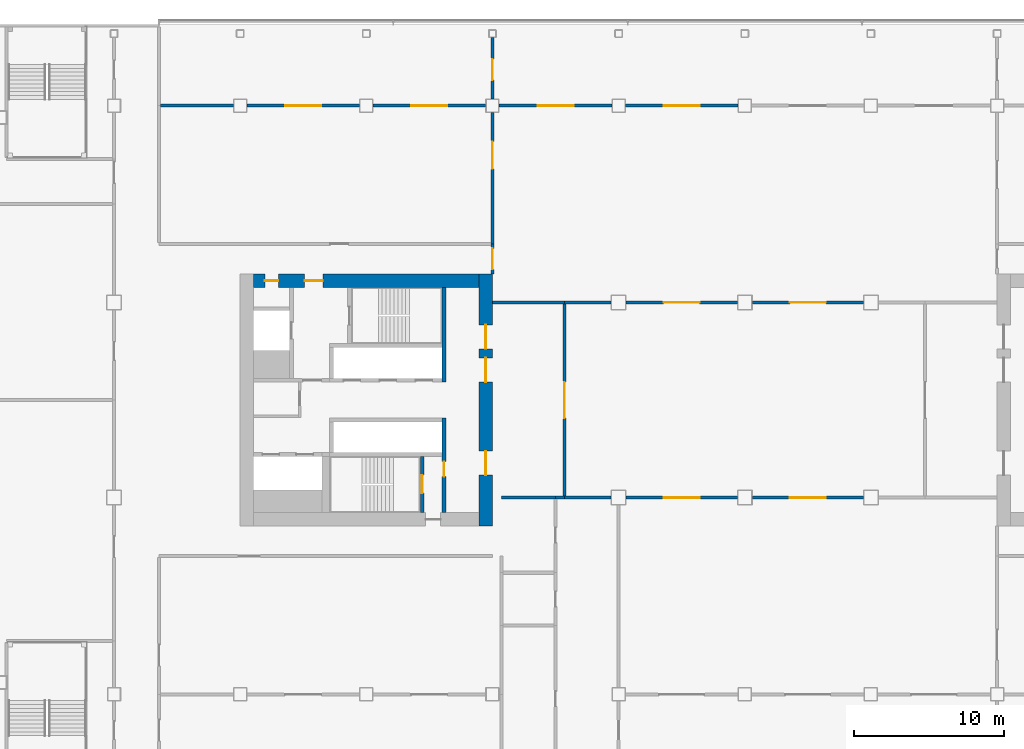
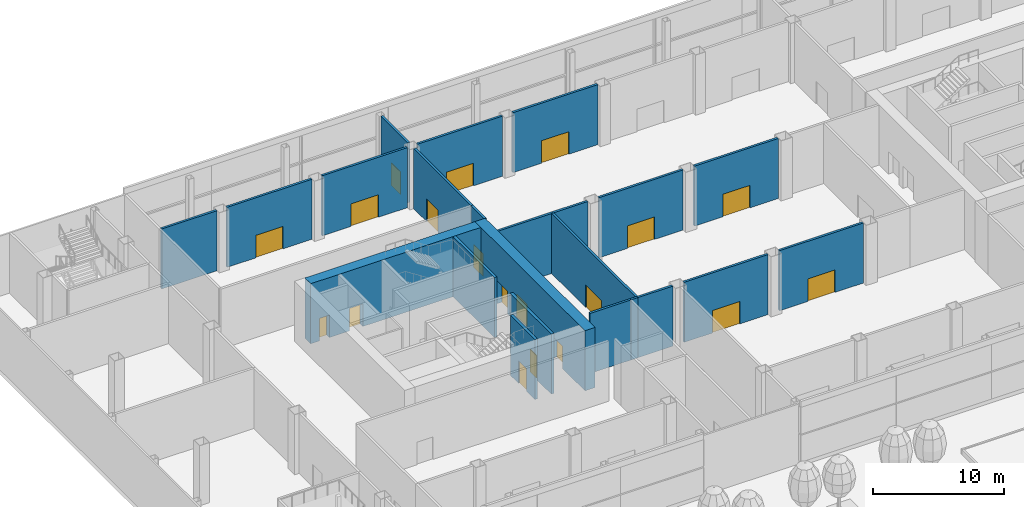
# One storey, part 34 of 100: 23 walls, 19 doors, 19 openings.
"""IFC4 building model written with IfcOpenShell, lengths in metres."""

from ifc_helpers import new_model, si_unit, direction, frame, frame_2d, origin, place, context, subcontext, project, spatial, rectangle, extrude, material, layer, layer_set, type_object, element, fill, save


model = new_model("IFC4")

# Units and contexts
model_context = context("Model", 3, precision=1e-05, world=origin(), true_north=direction((0.0, 1.0)))
body_context = subcontext(model_context, "Body", "Model", "MODEL_VIEW")
ifc_project = project(units=[si_unit("LENGTHUNIT", "METRE"), si_unit("AREAUNIT", "SQUARE_METRE"), si_unit("VOLUMEUNIT", "CUBIC_METRE"), si_unit("PLANEANGLEUNIT", "RADIAN"), si_unit("MASSUNIT", "GRAM", prefix="KILO")], contexts=[model_context])

# Site, building, storey
site_placement = place(None, origin())
site = spatial("IfcSite", under=ifc_project, at=site_placement, CompositionType="ELEMENT")
building_placement = place(site_placement, origin())
building = spatial("IfcBuilding", under=site, at=building_placement, Name="Hakoniwa Tower and Hamabe Station Hall", CompositionType="ELEMENT")
storey_placement = place(building_placement, frame((0.0, 0.0, 9.0)))
storey = spatial("IfcBuildingStorey", under=building, at=storey_placement, Name="L02", CompositionType="ELEMENT", Elevation=9.0)

# Wall, openings, doors
ifc_material_1 = material(Name="Concrete C80", Category="concrete")
ifc_layer_1 = layer(ifc_material_1, 0.89990234375)
ifc_layer_set_1 = layer_set([ifc_layer_1], Name="CORE WALL 900 C80")
wall_type_1 = type_object("IfcWallType", Name="CORE WALL 900 C80", PredefinedType="SHEAR", material=ifc_layer_set_1)
wall_1_placement = place(storey_placement, frame((-17.25, -8.39990234375, 0.0), z_axis=(0.0, 0.0, 1.0), x_axis=(0.0, 1.0, 0.0)))
wall_1 = element("IfcWall", 1, at=wall_1_placement, inside=storey, type_object=wall_type_1, Name="Core wall INNER west", PredefinedType="SHEAR", context=body_context, shape_type="SweptSolid", body=[
    extrude(rectangle(XDim=16.7998046875, YDim=0.89990234375, at=frame_2d((8.39990234375, 0.0))), origin(), (0.0, 0.0, 1.0), 5.60009765625),
])
opening_1_placement = place(wall_1_placement, frame((3.39990234375, 0.0, 0.0)))
opening_1 = element("IfcOpeningElement", 2, at=opening_1_placement, cuts=wall_1, Name="Opening CD-W-IN1-16", PredefinedType="OPENING", context=body_context, shape_type="SweptSolid", body=[
    extrude(rectangle(XDim=1.60009765625, YDim=2.10009765625, at=frame_2d((0.800048828125, 1.050048828125))), frame((0.0, 0.4599609375, 0.0), z_axis=(0.0, -1.0, 0.0), x_axis=(1.0, 0.0, 0.0)), (0.0, 0.0, 1.0), 0.919921875),
])
opening_2_placement = place(wall_1_placement, frame((9.60009765625, 0.0, 0.0)))
opening_2 = element("IfcOpeningElement", 3, at=opening_2_placement, cuts=wall_1, Name="Opening CD-W-IN2-16", PredefinedType="OPENING", context=body_context, shape_type="SweptSolid", body=[
    extrude(rectangle(XDim=1.60009765625, YDim=2.10009765625, at=frame_2d((0.800048828125, 1.050048828125))), frame((0.0, 0.4599609375, 0.0), z_axis=(0.0, -1.0, 0.0), x_axis=(1.0, 0.0, 0.0)), (0.0, 0.0, 1.0), 0.919921875),
])
opening_3_placement = place(wall_1_placement, frame((11.800048828125, 0.0, 0.0)))
opening_3 = element("IfcOpeningElement", 4, at=opening_3_placement, cuts=wall_1, Name="Opening CD-W-IN3-16", PredefinedType="OPENING", context=body_context, shape_type="SweptSolid", body=[
    extrude(rectangle(XDim=1.60009765625, YDim=2.10009765625, at=frame_2d((0.800048828125, 1.050048828125))), frame((0.0, 0.4599609375, 0.0), z_axis=(0.0, -1.0, 0.0), x_axis=(1.0, 0.0, 0.0)), (0.0, 0.0, 1.0), 0.919921875),
])
ifc_material_2 = material(Name="Steel fire door", Category="steel")
door_type_1 = type_object("IfcDoorType", Name="CORE DOOR 1600 FD60", OperationType="DOUBLE_DOOR_SINGLE_SWING", PredefinedType="DOOR", material=ifc_material_2)
door_1_placement = place(opening_1_placement, origin())
door_1 = element("IfcDoor", 5, at=door_1_placement, inside=storey, type_object=door_type_1, Name="Lift lobby door", OperationType="DOUBLE_DOOR_SINGLE_SWING", OverallHeight=2.10009765625, OverallWidth=1.60009765625, PredefinedType="DOOR", context=body_context, shape_type="SweptSolid", body=[
    extrude(rectangle(XDim=1.60009765625, YDim=2.10009765625, at=frame_2d((0.800048828125, 1.050048828125))), frame((0.0, 0.02490234375, 0.0), z_axis=(0.0, -1.0, 0.0), x_axis=(1.0, 0.0, 0.0)), (0.0, 0.0, 1.0), 0.050048828125),
])
fill(opening_1, door_1)
door_2_placement = place(opening_2_placement, origin())
door_2 = element("IfcDoor", 6, at=door_2_placement, inside=storey, type_object=door_type_1, Name="Lift lobby door", OperationType="DOUBLE_DOOR_SINGLE_SWING", OverallHeight=2.10009765625, OverallWidth=1.60009765625, PredefinedType="DOOR", context=body_context, shape_type="SweptSolid", body=[
    extrude(rectangle(XDim=1.60009765625, YDim=2.10009765625, at=frame_2d((0.800048828125, 1.050048828125))), frame((0.0, 0.02490234375, 0.0), z_axis=(0.0, -1.0, 0.0), x_axis=(1.0, 0.0, 0.0)), (0.0, 0.0, 1.0), 0.050048828125),
])
fill(opening_2, door_2)
door_3_placement = place(opening_3_placement, origin())
door_3 = element("IfcDoor", 7, at=door_3_placement, inside=storey, type_object=door_type_1, Name="Lift lobby door", OperationType="DOUBLE_DOOR_SINGLE_SWING", OverallHeight=2.10009765625, OverallWidth=1.60009765625, PredefinedType="DOOR", context=body_context, shape_type="SweptSolid", body=[
    extrude(rectangle(XDim=1.60009765625, YDim=2.10009765625, at=frame_2d((0.800048828125, 1.050048828125))), frame((0.0, 0.02490234375, 0.0), z_axis=(0.0, -1.0, 0.0), x_axis=(1.0, 0.0, 0.0)), (0.0, 0.0, 1.0), 0.050048828125),
])
fill(opening_3, door_3)

wall_2_placement = place(storey_placement, frame((-32.699951171875, 7.949951171875, 0.0), z_axis=(0.0, 0.0, 1.0), x_axis=(1.0, 0.0, 0.0)))
wall_2 = element("IfcWall", 8, at=wall_2_placement, inside=storey, type_object=wall_type_1, Name="Core wall NORTH west", PredefinedType="SHEAR", context=body_context, shape_type="SweptSolid", body=[
    extrude(rectangle(XDim=15.0, YDim=0.89990234375, at=frame_2d((7.5, 0.0))), origin(), (0.0, 0.0, 1.0), 5.60009765625),
])
opening_4_placement = place(wall_2_placement, frame((3.39990234375, 0.0, 0.0)))
opening_4 = element("IfcOpeningElement", 9, at=opening_4_placement, cuts=wall_2, Name="Opening CD-W-FN1-12", PredefinedType="OPENING", context=body_context, shape_type="SweptSolid", body=[
    extrude(rectangle(XDim=1.199951171875, YDim=2.10009765625, at=frame_2d((0.60009765625, 1.050048828125))), frame((0.0, 0.4599609375, 0.0), z_axis=(0.0, -1.0, 0.0), x_axis=(1.0, 0.0, 0.0)), (0.0, 0.0, 1.0), 0.919921875),
])
opening_5_placement = place(wall_2_placement, frame((0.75, 0.0, 0.0)))
opening_5 = element("IfcOpeningElement", 10, at=opening_5_placement, cuts=wall_2, Name="Opening CD-W-FN2-9", PredefinedType="OPENING", context=body_context, shape_type="SweptSolid", body=[
    extrude(rectangle(XDim=0.89990234375, YDim=2.10009765625, at=frame_2d((0.449951171875, 1.050048828125))), frame((0.0, 0.4599609375, 0.0), z_axis=(0.0, -1.0, 0.0), x_axis=(1.0, 0.0, 0.0)), (0.0, 0.0, 1.0), 0.919921875),
])
ifc_material_3 = material(Name="Steel fire door", Category="steel")
door_type_2 = type_object("IfcDoorType", Name="CORE DOOR 1200 FD60", OperationType="DOUBLE_DOOR_SINGLE_SWING", PredefinedType="DOOR", material=ifc_material_3)
door_4_placement = place(opening_4_placement, origin())
door_4 = element("IfcDoor", 11, at=door_4_placement, inside=storey, type_object=door_type_2, Name="Stair vestibule door to the fire-fighting lobby", OperationType="DOUBLE_DOOR_SINGLE_SWING", OverallHeight=2.10009765625, OverallWidth=1.199951171875, PredefinedType="DOOR", context=body_context, shape_type="SweptSolid", body=[
    extrude(rectangle(XDim=1.199951171875, YDim=2.10009765625, at=frame_2d((0.60009765625, 1.050048828125))), frame((0.0, 0.02490234375, 0.0), z_axis=(0.0, -1.0, 0.0), x_axis=(1.0, 0.0, 0.0)), (0.0, 0.0, 1.0), 0.050048828125),
])
fill(opening_4, door_4)
ifc_material_4 = material(Name="Steel fire door", Category="steel")
door_type_3 = type_object("IfcDoorType", Name="CORE DOOR 900 FD30", OperationType="NOTDEFINED", PredefinedType="DOOR", material=ifc_material_4)
door_5_placement = place(opening_5_placement, origin())
door_5 = element("IfcDoor", 12, at=door_5_placement, inside=storey, type_object=door_type_3, Name="Riser access door", OperationType="SINGLE_SWING_RIGHT", OverallHeight=2.10009765625, OverallWidth=0.89990234375, PredefinedType="DOOR", context=body_context, shape_type="SweptSolid", body=[
    extrude(rectangle(XDim=0.89990234375, YDim=2.10009765625, at=frame_2d((0.449951171875, 1.050048828125))), frame((0.0, 0.02490234375, 0.0), z_axis=(0.0, -1.0, 0.0), x_axis=(1.0, 0.0, 0.0)), (0.0, 0.0, 1.0), 0.050048828125),
])
fill(opening_5, door_5)

# Wall
ifc_material_5 = material(Name="Concrete C80", Category="concrete")
ifc_layer_2 = layer(ifc_material_5, 0.25)
ifc_layer_set_2 = layer_set([ifc_layer_2], Name="CORE WEB WALL 250 C80")
wall_type_2 = type_object("IfcWallType", Name="CORE WEB WALL 250 C80", PredefinedType="SHEAR", material=ifc_layer_set_2)
wall_3_placement = place(storey_placement, frame((-20.02490234375, 1.199951171875, 0.0), z_axis=(0.0, 0.0, 1.0), x_axis=(0.0, 1.0, 0.0)))
element("IfcWall", 13, at=wall_3_placement, inside=storey, type_object=wall_type_2, Name="Core wall W1N west", PredefinedType="SHEAR", context=body_context, shape_type="SweptSolid", body=[
    extrude(rectangle(XDim=6.300048828125, YDim=0.25, at=frame_2d((3.14990234375, 0.0))), origin(), (0.0, 0.0, 1.0), 5.60009765625),
])

# Wall, opening, door
wall_4_placement = place(storey_placement, frame((-20.02490234375, -7.5, 0.0), z_axis=(0.0, 0.0, 1.0), x_axis=(0.0, 1.0, 0.0)))
wall_4 = element("IfcWall", 14, at=wall_4_placement, inside=storey, type_object=wall_type_2, Name="Core wall W1S west", PredefinedType="SHEAR", context=body_context, shape_type="SweptSolid", body=[
    extrude(rectangle(XDim=6.300048828125, YDim=0.25, at=frame_2d((3.14990234375, 0.0))), origin(), (0.0, 0.0, 1.0), 5.60009765625),
])
opening_6_placement = place(wall_4_placement, frame((2.39990234375, 0.0, 0.0)))
opening_6 = element("IfcOpeningElement", 15, at=opening_6_placement, cuts=wall_4, Name="Opening CD-W-VS-10", PredefinedType="OPENING", context=body_context, shape_type="SweptSolid", body=[
    extrude(rectangle(XDim=1.0, YDim=2.10009765625, at=frame_2d((0.5, 1.050048828125))), frame((0.0, 0.135009765625, 0.0), z_axis=(0.0, -1.0, 0.0), x_axis=(1.0, 0.0, 0.0)), (0.0, 0.0, 1.0), 0.27001953125),
])
ifc_material_6 = material(Name="Steel fire door", Category="steel")
door_type_4 = type_object("IfcDoorType", Name="CORE DOOR 1000 FD60", OperationType="NOTDEFINED", PredefinedType="DOOR", material=ifc_material_6)
door_6_placement = place(opening_6_placement, origin())
door_6 = element("IfcDoor", 16, at=door_6_placement, inside=storey, type_object=door_type_4, Name="Stair vestibule door", OperationType="SINGLE_SWING_LEFT", OverallHeight=2.10009765625, OverallWidth=1.0, PredefinedType="DOOR", context=body_context, shape_type="SweptSolid", body=[
    extrude(rectangle(XDim=1.0, YDim=2.10009765625, at=frame_2d((0.5, 1.050048828125))), frame((0.0, 0.02490234375, 0.0), z_axis=(0.0, -1.0, 0.0), x_axis=(1.0, 0.0, 0.0)), (0.0, 0.0, 1.0), 0.050048828125),
])
fill(opening_6, door_6)

wall_5_placement = place(storey_placement, frame((-21.47509765625, -7.5, 0.0), z_axis=(0.0, 0.0, 1.0), x_axis=(0.0, 1.0, 0.0)))
wall_5 = element("IfcWall", 17, at=wall_5_placement, inside=storey, type_object=wall_type_2, Name="Core wall VE west", PredefinedType="SHEAR", context=body_context, shape_type="SweptSolid", body=[
    extrude(rectangle(XDim=3.75, YDim=0.25, at=frame_2d((1.875, 0.0))), origin(), (0.0, 0.0, 1.0), 5.60009765625),
])
opening_7_placement = place(wall_5_placement, frame((1.300048828125, 0.0, 0.0)))
opening_7 = element("IfcOpeningElement", 18, at=opening_7_placement, cuts=wall_5, Name="Opening CD-W-SS-12", PredefinedType="OPENING", context=body_context, shape_type="SweptSolid", body=[
    extrude(rectangle(XDim=1.199951171875, YDim=2.10009765625, at=frame_2d((0.60009765625, 1.050048828125))), frame((0.0, 0.135009765625, 0.0), z_axis=(0.0, -1.0, 0.0), x_axis=(1.0, 0.0, 0.0)), (0.0, 0.0, 1.0), 0.27001953125),
])
door_7_placement = place(opening_7_placement, origin())
door_7 = element("IfcDoor", 19, at=door_7_placement, inside=storey, type_object=door_type_2, Name="Escape stair door", OperationType="DOUBLE_DOOR_SINGLE_SWING", OverallHeight=2.10009765625, OverallWidth=1.199951171875, PredefinedType="DOOR", context=body_context, shape_type="SweptSolid", body=[
    extrude(rectangle(XDim=1.199951171875, YDim=2.10009765625, at=frame_2d((0.60009765625, 1.050048828125))), frame((0.0, 0.02490234375, 0.0), z_axis=(0.0, -1.0, 0.0), x_axis=(1.0, 0.0, 0.0)), (0.0, 0.0, 1.0), 0.050048828125),
])
fill(opening_7, door_7)

ifc_material_7 = material(Name="Fire-rated gypsum board partition")
ifc_layer_3 = layer(ifc_material_7, 0.199951171875)
ifc_layer_set_3 = layer_set([ifc_layer_3], Name="FIRE PARTITION 200 EI 60")
wall_type_3 = type_object("IfcWallType", Name="FIRE PARTITION 200 EI 60", PredefinedType="PARTITIONING", material=ifc_layer_set_3)
wall_6_placement = place(storey_placement, frame((-16.800048828125, 20.050048828125, 0.0), z_axis=(0.0, 0.0, 1.0), x_axis=(0.0, 1.0, 0.0)))
wall_6 = element("IfcWall", 20, at=wall_6_placement, inside=storey, type_object=wall_type_3, Name="Wall Banquet Terrace Gallery / Executive Lounge Gallery", PredefinedType="PARTITIONING", context=body_context, shape_type="SweptSolid", body=[
    extrude(rectangle(XDim=4.099853515625, YDim=0.199951171875, at=frame_2d((2.0498046875, 0.0))), origin(), (0.0, 0.0, 1.0), 5.60009765625),
])
opening_8_placement = place(wall_6_placement, frame((1.25, 0.0, 0.0)))
opening_8 = element("IfcOpeningElement", 21, at=opening_8_placement, cuts=wall_6, Name="Opening PD-L02-030", PredefinedType="OPENING", context=body_context, shape_type="SweptSolid", body=[
    extrude(rectangle(XDim=1.39990234375, YDim=2.10009765625, at=frame_2d((0.699951171875, 1.050048828125))), frame((0.0, 0.10986328125, 0.0), z_axis=(0.0, -1.0, 0.0), x_axis=(1.0, 0.0, 0.0)), (0.0, 0.0, 1.0), 0.219970703125),
])
ifc_material_8 = material(Name="Timber door leaf", Category="wood")
door_type_5 = type_object("IfcDoorType", Name="SINGLE DOOR 1400X2100", OperationType="SINGLE_SWING_LEFT", PredefinedType="DOOR", material=ifc_material_8)
door_8_placement = place(opening_8_placement, origin())
door_8 = element("IfcDoor", 22, at=door_8_placement, inside=storey, type_object=door_type_5, Name="Door PD-L02-030", OperationType="SINGLE_SWING_LEFT", OverallHeight=2.10009765625, OverallWidth=1.39990234375, PredefinedType="DOOR", context=body_context, shape_type="SweptSolid", body=[
    extrude(rectangle(XDim=1.39990234375, YDim=2.10009765625, at=frame_2d((0.699951171875, 1.050048828125))), frame((0.0, 0.02490234375, 0.0), z_axis=(0.0, -1.0, 0.0), x_axis=(1.0, 0.0, 0.0)), (0.0, 0.0, 1.0), 0.050048828125),
])
fill(opening_8, door_8)

# Wall
wall_7_placement = place(storey_placement, frame((-38.89990234375, 19.60009765625, 0.0), z_axis=(0.0, 0.0, 1.0), x_axis=(1.0, 0.0, 0.0)))
element("IfcWall", 23, at=wall_7_placement, inside=storey, type_object=wall_type_3, Name="Wall Executive Lounge / Executive Lounge Gallery", PredefinedType="PARTITIONING", context=body_context, shape_type="SweptSolid", body=[
    extrude(rectangle(XDim=4.849853515625, YDim=0.199951171875, at=frame_2d((2.4248046875, 0.0))), origin(), (0.0, 0.0, 1.0), 5.60009765625),
])

# Wall, opening, door
wall_8_placement = place(storey_placement, frame((-33.14990234375, 19.60009765625, 0.0), z_axis=(0.0, 0.0, 1.0), x_axis=(1.0, 0.0, 0.0)))
wall_8 = element("IfcWall", 24, at=wall_8_placement, inside=storey, type_object=wall_type_3, Name="Wall Executive Lounge / Executive Lounge Gallery", PredefinedType="PARTITIONING", context=body_context, shape_type="SweptSolid", body=[
    extrude(rectangle(XDim=7.5, YDim=0.199951171875, at=frame_2d((3.75, 0.0))), origin(), (0.0, 0.0, 1.0), 5.60009765625),
])
opening_9_placement = place(wall_8_placement, frame((2.550048828125, 0.0, 0.0)))
opening_9 = element("IfcOpeningElement", 25, at=opening_9_placement, cuts=wall_8, Name="Opening PD-L02-026", PredefinedType="OPENING", context=body_context, shape_type="SweptSolid", body=[
    extrude(rectangle(XDim=2.39990234375, YDim=2.10009765625, at=frame_2d((1.199951171875, 1.050048828125))), frame((0.0, 0.10986328125, 0.0), z_axis=(0.0, -1.0, 0.0), x_axis=(1.0, 0.0, 0.0)), (0.0, 0.0, 1.0), 0.219970703125),
])
ifc_material_9 = material(Name="Glazed aluminium door", Category="aluminium")
door_type_6 = type_object("IfcDoorType", Name="DOUBLE GLAZED DOOR 2400X2100", OperationType="DOUBLE_DOOR_DOUBLE_SWING", PredefinedType="DOOR", material=ifc_material_9)
door_9_placement = place(opening_9_placement, origin())
door_9 = element("IfcDoor", 26, at=door_9_placement, inside=storey, type_object=door_type_6, Name="Door PD-L02-026", OperationType="DOUBLE_DOOR_DOUBLE_SWING", OverallHeight=2.10009765625, OverallWidth=2.39990234375, PredefinedType="DOOR", context=body_context, shape_type="SweptSolid", body=[
    extrude(rectangle(XDim=2.39990234375, YDim=2.10009765625, at=frame_2d((1.199951171875, 1.050048828125))), frame((0.0, 0.02490234375, 0.0), z_axis=(0.0, -1.0, 0.0), x_axis=(1.0, 0.0, 0.0)), (0.0, 0.0, 1.0), 0.050048828125),
])
fill(opening_9, door_9)

wall_9_placement = place(storey_placement, frame((-24.75, 19.60009765625, 0.0), z_axis=(0.0, 0.0, 1.0), x_axis=(1.0, 0.0, 0.0)))
wall_9 = element("IfcWall", 27, at=wall_9_placement, inside=storey, type_object=wall_type_3, Name="Wall Executive Lounge / Executive Lounge Gallery", PredefinedType="PARTITIONING", context=body_context, shape_type="SweptSolid", body=[
    extrude(rectangle(XDim=7.5, YDim=0.199951171875, at=frame_2d((3.75, 0.0))), origin(), (0.0, 0.0, 1.0), 5.60009765625),
])
opening_10_placement = place(wall_9_placement, frame((2.550048828125, 0.0, 0.0)))
opening_10 = element("IfcOpeningElement", 28, at=opening_10_placement, cuts=wall_9, Name="Opening PD-L02-027", PredefinedType="OPENING", context=body_context, shape_type="SweptSolid", body=[
    extrude(rectangle(XDim=2.39990234375, YDim=2.10009765625, at=frame_2d((1.199951171875, 1.050048828125))), frame((0.0, 0.10986328125, 0.0), z_axis=(0.0, -1.0, 0.0), x_axis=(1.0, 0.0, 0.0)), (0.0, 0.0, 1.0), 0.219970703125),
])
door_10_placement = place(opening_10_placement, origin())
door_10 = element("IfcDoor", 29, at=door_10_placement, inside=storey, type_object=door_type_6, Name="Door PD-L02-027", OperationType="DOUBLE_DOOR_DOUBLE_SWING", OverallHeight=2.10009765625, OverallWidth=2.39990234375, PredefinedType="DOOR", context=body_context, shape_type="SweptSolid", body=[
    extrude(rectangle(XDim=2.39990234375, YDim=2.10009765625, at=frame_2d((1.199951171875, 1.050048828125))), frame((0.0, 0.02490234375, 0.0), z_axis=(0.0, -1.0, 0.0), x_axis=(1.0, 0.0, 0.0)), (0.0, 0.0, 1.0), 0.050048828125),
])
fill(opening_10, door_10)

wall_10_placement = place(storey_placement, frame((-16.35009765625, 19.60009765625, 0.0), z_axis=(0.0, 0.0, 1.0), x_axis=(1.0, 0.0, 0.0)))
wall_10 = element("IfcWall", 30, at=wall_10_placement, inside=storey, type_object=wall_type_3, Name="Wall Banquet Pre-function Foyer / Banquet Terrace Gallery", PredefinedType="PARTITIONING", context=body_context, shape_type="SweptSolid", body=[
    extrude(rectangle(XDim=7.5, YDim=0.199951171875, at=frame_2d((3.75, 0.0))), origin(), (0.0, 0.0, 1.0), 5.60009765625),
])
opening_11_placement = place(wall_10_placement, frame((2.550048828125, 0.0, 0.0)))
opening_11 = element("IfcOpeningElement", 31, at=opening_11_placement, cuts=wall_10, Name="Opening PD-L02-022", PredefinedType="OPENING", context=body_context, shape_type="SweptSolid", body=[
    extrude(rectangle(XDim=2.39990234375, YDim=2.10009765625, at=frame_2d((1.199951171875, 1.050048828125))), frame((0.0, 0.10986328125, 0.0), z_axis=(0.0, -1.0, 0.0), x_axis=(1.0, 0.0, 0.0)), (0.0, 0.0, 1.0), 0.219970703125),
])
door_11_placement = place(opening_11_placement, origin())
door_11 = element("IfcDoor", 32, at=door_11_placement, inside=storey, type_object=door_type_6, Name="Door PD-L02-022", OperationType="DOUBLE_DOOR_DOUBLE_SWING", OverallHeight=2.10009765625, OverallWidth=2.39990234375, PredefinedType="DOOR", context=body_context, shape_type="SweptSolid", body=[
    extrude(rectangle(XDim=2.39990234375, YDim=2.10009765625, at=frame_2d((1.199951171875, 1.050048828125))), frame((0.0, 0.02490234375, 0.0), z_axis=(0.0, -1.0, 0.0), x_axis=(1.0, 0.0, 0.0)), (0.0, 0.0, 1.0), 0.050048828125),
])
fill(opening_11, door_11)

wall_11_placement = place(storey_placement, frame((-7.949951171875, 19.60009765625, 0.0), z_axis=(0.0, 0.0, 1.0), x_axis=(1.0, 0.0, 0.0)))
wall_11 = element("IfcWall", 33, at=wall_11_placement, inside=storey, type_object=wall_type_3, Name="Wall Banquet Pre-function Foyer / Banquet Terrace Gallery", PredefinedType="PARTITIONING", context=body_context, shape_type="SweptSolid", body=[
    extrude(rectangle(XDim=7.5, YDim=0.199951171875, at=frame_2d((3.75, 0.0))), origin(), (0.0, 0.0, 1.0), 5.60009765625),
])
opening_12_placement = place(wall_11_placement, frame((2.550048828125, 0.0, 0.0)))
opening_12 = element("IfcOpeningElement", 34, at=opening_12_placement, cuts=wall_11, Name="Opening PD-L02-023", PredefinedType="OPENING", context=body_context, shape_type="SweptSolid", body=[
    extrude(rectangle(XDim=2.39990234375, YDim=2.10009765625, at=frame_2d((1.199951171875, 1.050048828125))), frame((0.0, 0.10986328125, 0.0), z_axis=(0.0, -1.0, 0.0), x_axis=(1.0, 0.0, 0.0)), (0.0, 0.0, 1.0), 0.219970703125),
])
door_12_placement = place(opening_12_placement, origin())
door_12 = element("IfcDoor", 35, at=door_12_placement, inside=storey, type_object=door_type_6, Name="Door PD-L02-023", OperationType="DOUBLE_DOOR_DOUBLE_SWING", OverallHeight=2.10009765625, OverallWidth=2.39990234375, PredefinedType="DOOR", context=body_context, shape_type="SweptSolid", body=[
    extrude(rectangle(XDim=2.39990234375, YDim=2.10009765625, at=frame_2d((1.199951171875, 1.050048828125))), frame((0.0, 0.02490234375, 0.0), z_axis=(0.0, -1.0, 0.0), x_axis=(1.0, 0.0, 0.0)), (0.0, 0.0, 1.0), 0.050048828125),
])
fill(opening_12, door_12)

wall_12_placement = place(storey_placement, frame((-16.800048828125, 10.39990234375, 0.0), z_axis=(0.0, 0.0, 1.0), x_axis=(0.0, 1.0, 0.0)))
wall_12 = element("IfcWall", 36, at=wall_12_placement, inside=storey, type_object=wall_type_3, Name="Wall Banquet Pre-function Foyer / Executive Lounge", PredefinedType="PARTITIONING", context=body_context, shape_type="SweptSolid", body=[
    extrude(rectangle(XDim=8.75, YDim=0.199951171875, at=frame_2d((4.375, 0.0))), origin(), (0.0, 0.0, 1.0), 5.60009765625),
])
opening_13_placement = place(wall_12_placement, frame((5.0, 0.0, 0.0)))
opening_13 = element("IfcOpeningElement", 37, at=opening_13_placement, cuts=wall_12, Name="Opening PD-L02-042", PredefinedType="OPENING", context=body_context, shape_type="SweptSolid", body=[
    extrude(rectangle(XDim=1.800048828125, YDim=2.10009765625, at=frame_2d((0.89990234375, 1.050048828125))), frame((0.0, 0.10986328125, 0.0), z_axis=(0.0, -1.0, 0.0), x_axis=(1.0, 0.0, 0.0)), (0.0, 0.0, 1.0), 0.219970703125),
])
ifc_material_10 = material(Name="Glazed aluminium door", Category="aluminium")
door_type_7 = type_object("IfcDoorType", Name="DOUBLE GLAZED DOOR 1800X2100", OperationType="DOUBLE_DOOR_DOUBLE_SWING", PredefinedType="DOOR", material=ifc_material_10)
door_13_placement = place(opening_13_placement, origin())
door_13 = element("IfcDoor", 38, at=door_13_placement, inside=storey, type_object=door_type_7, Name="Door PD-L02-042", OperationType="DOUBLE_DOOR_DOUBLE_SWING", OverallHeight=2.10009765625, OverallWidth=1.800048828125, PredefinedType="DOOR", context=body_context, shape_type="SweptSolid", body=[
    extrude(rectangle(XDim=1.800048828125, YDim=2.10009765625, at=frame_2d((0.89990234375, 1.050048828125))), frame((0.0, 0.02490234375, 0.0), z_axis=(0.0, -1.0, 0.0), x_axis=(1.0, 0.0, 0.0)), (0.0, 0.0, 1.0), 0.050048828125),
])
fill(opening_13, door_13)

wall_13_placement = place(storey_placement, frame((-7.89990234375, -6.5, 0.0), z_axis=(0.0, 0.0, 1.0), x_axis=(1.0, 0.0, 0.0)))
wall_13 = element("IfcWall", 39, at=wall_13_placement, inside=storey, type_object=wall_type_3, Name="Wall Garden Tea Room / Library Lounge", PredefinedType="PARTITIONING", context=body_context, shape_type="SweptSolid", body=[
    extrude(rectangle(XDim=7.39990234375, YDim=0.199951171875, at=frame_2d((3.699951171875, 0.0))), origin(), (0.0, 0.0, 1.0), 5.60009765625),
])
opening_14_placement = place(wall_13_placement, frame((2.5, 0.0, 0.0)))
opening_14 = element("IfcOpeningElement", 40, at=opening_14_placement, cuts=wall_13, Name="Opening PD-L02-005", PredefinedType="OPENING", context=body_context, shape_type="SweptSolid", body=[
    extrude(rectangle(XDim=2.39990234375, YDim=2.10009765625, at=frame_2d((1.199951171875, 1.050048828125))), frame((0.0, 0.10986328125, 0.0), z_axis=(0.0, -1.0, 0.0), x_axis=(1.0, 0.0, 0.0)), (0.0, 0.0, 1.0), 0.219970703125),
])
door_14_placement = place(opening_14_placement, origin())
door_14 = element("IfcDoor", 41, at=door_14_placement, inside=storey, type_object=door_type_6, Name="Door PD-L02-005", OperationType="DOUBLE_DOOR_DOUBLE_SWING", OverallHeight=2.10009765625, OverallWidth=2.39990234375, PredefinedType="DOOR", context=body_context, shape_type="SweptSolid", body=[
    extrude(rectangle(XDim=2.39990234375, YDim=2.10009765625, at=frame_2d((1.199951171875, 1.050048828125))), frame((0.0, 0.02490234375, 0.0), z_axis=(0.0, -1.0, 0.0), x_axis=(1.0, 0.0, 0.0)), (0.0, 0.0, 1.0), 0.050048828125),
])
fill(opening_14, door_14)

wall_14_placement = place(storey_placement, frame((0.5, -6.5, 0.0), z_axis=(0.0, 0.0, 1.0), x_axis=(1.0, 0.0, 0.0)))
wall_14 = element("IfcWall", 42, at=wall_14_placement, inside=storey, type_object=wall_type_3, Name="Wall Garden Tea Room / Library Lounge", PredefinedType="PARTITIONING", context=body_context, shape_type="SweptSolid", body=[
    extrude(rectangle(XDim=7.39990234375, YDim=0.199951171875, at=frame_2d((3.699951171875, 0.0))), origin(), (0.0, 0.0, 1.0), 5.60009765625),
])
opening_15_placement = place(wall_14_placement, frame((2.5, 0.0, 0.0)))
opening_15 = element("IfcOpeningElement", 43, at=opening_15_placement, cuts=wall_14, Name="Opening PD-L02-006", PredefinedType="OPENING", context=body_context, shape_type="SweptSolid", body=[
    extrude(rectangle(XDim=2.39990234375, YDim=2.10009765625, at=frame_2d((1.199951171875, 1.050048828125))), frame((0.0, 0.10986328125, 0.0), z_axis=(0.0, -1.0, 0.0), x_axis=(1.0, 0.0, 0.0)), (0.0, 0.0, 1.0), 0.219970703125),
])
door_15_placement = place(opening_15_placement, origin())
door_15 = element("IfcDoor", 44, at=door_15_placement, inside=storey, type_object=door_type_6, Name="Door PD-L02-006", OperationType="DOUBLE_DOOR_DOUBLE_SWING", OverallHeight=2.10009765625, OverallWidth=2.39990234375, PredefinedType="DOOR", context=body_context, shape_type="SweptSolid", body=[
    extrude(rectangle(XDim=2.39990234375, YDim=2.10009765625, at=frame_2d((1.199951171875, 1.050048828125))), frame((0.0, 0.02490234375, 0.0), z_axis=(0.0, -1.0, 0.0), x_axis=(1.0, 0.0, 0.0)), (0.0, 0.0, 1.0), 0.050048828125),
])
fill(opening_15, door_15)

# Wall
wall_15_placement = place(storey_placement, frame((-16.800048828125, 6.5, 0.0), z_axis=(0.0, 0.0, 1.0), x_axis=(1.0, 0.0, 0.0)))
element("IfcWall", 45, at=wall_15_placement, inside=storey, type_object=wall_type_3, Name="Wall Guest Lift Hall West / Banquet Pre-function Foyer", PredefinedType="PARTITIONING", context=body_context, shape_type="SweptSolid", body=[
    extrude(rectangle(XDim=4.800048828125, YDim=0.199951171875, at=frame_2d((2.39990234375, 0.0))), origin(), (0.0, 0.0, 1.0), 5.60009765625),
])

# Wall, opening, door
wall_16_placement = place(storey_placement, frame((-12.0, 6.39990234375, 0.0), z_axis=(0.0, 0.0, 1.0), x_axis=(0.0, -1.0, 0.0)))
wall_16 = element("IfcWall", 46, at=wall_16_placement, inside=storey, type_object=wall_type_3, Name="Wall Guest Lift Hall West / Library Lounge", PredefinedType="PARTITIONING", context=body_context, shape_type="SweptSolid", body=[
    extrude(rectangle(XDim=12.7998046875, YDim=0.199951171875, at=frame_2d((6.39990234375, 0.0))), origin(), (0.0, 0.0, 1.0), 5.60009765625),
])
opening_16_placement = place(wall_16_placement, frame((5.199951171875, 0.0, 0.0)))
opening_16 = element("IfcOpeningElement", 47, at=opening_16_placement, cuts=wall_16, Name="Opening PD-L02-003", PredefinedType="OPENING", context=body_context, shape_type="SweptSolid", body=[
    extrude(rectangle(XDim=2.39990234375, YDim=2.10009765625, at=frame_2d((1.199951171875, 1.050048828125))), frame((0.0, 0.10986328125, 0.0), z_axis=(0.0, -1.0, 0.0), x_axis=(1.0, 0.0, 0.0)), (0.0, 0.0, 1.0), 0.219970703125),
])
door_16_placement = place(opening_16_placement, origin())
door_16 = element("IfcDoor", 48, at=door_16_placement, inside=storey, type_object=door_type_6, Name="Door PD-L02-003", OperationType="DOUBLE_DOOR_DOUBLE_SWING", OverallHeight=2.10009765625, OverallWidth=2.39990234375, PredefinedType="DOOR", context=body_context, shape_type="SweptSolid", body=[
    extrude(rectangle(XDim=2.39990234375, YDim=2.10009765625, at=frame_2d((1.199951171875, 1.050048828125))), frame((0.0, 0.02490234375, 0.0), z_axis=(0.0, -1.0, 0.0), x_axis=(1.0, 0.0, 0.0)), (0.0, 0.0, 1.0), 0.050048828125),
])
fill(opening_16, door_16)

# Wall
wall_17_placement = place(storey_placement, frame((-12.0, 6.5, 0.0), z_axis=(0.0, 0.0, 1.0), x_axis=(1.0, 0.0, 0.0)))
element("IfcWall", 49, at=wall_17_placement, inside=storey, type_object=wall_type_3, Name="Wall Library Lounge / Banquet Pre-function Foyer", PredefinedType="PARTITIONING", context=body_context, shape_type="SweptSolid", body=[
    extrude(rectangle(XDim=3.10009765625, YDim=0.199951171875, at=frame_2d((1.550048828125, 0.0))), origin(), (0.0, 0.0, 1.0), 5.60009765625),
])

# Wall, opening, door
wall_18_placement = place(storey_placement, frame((-7.89990234375, 6.5, 0.0), z_axis=(0.0, 0.0, 1.0), x_axis=(1.0, 0.0, 0.0)))
wall_18 = element("IfcWall", 50, at=wall_18_placement, inside=storey, type_object=wall_type_3, Name="Wall Library Lounge / Banquet Pre-function Foyer", PredefinedType="PARTITIONING", context=body_context, shape_type="SweptSolid", body=[
    extrude(rectangle(XDim=7.39990234375, YDim=0.199951171875, at=frame_2d((3.699951171875, 0.0))), origin(), (0.0, 0.0, 1.0), 5.60009765625),
])
opening_17_placement = place(wall_18_placement, frame((2.5, 0.0, 0.0)))
opening_17 = element("IfcOpeningElement", 51, at=opening_17_placement, cuts=wall_18, Name="Opening PD-L02-001", PredefinedType="OPENING", context=body_context, shape_type="SweptSolid", body=[
    extrude(rectangle(XDim=2.39990234375, YDim=2.10009765625, at=frame_2d((1.199951171875, 1.050048828125))), frame((0.0, 0.10986328125, 0.0), z_axis=(0.0, -1.0, 0.0), x_axis=(1.0, 0.0, 0.0)), (0.0, 0.0, 1.0), 0.219970703125),
])
door_17_placement = place(opening_17_placement, origin())
door_17 = element("IfcDoor", 52, at=door_17_placement, inside=storey, type_object=door_type_6, Name="Door PD-L02-001", OperationType="DOUBLE_DOOR_DOUBLE_SWING", OverallHeight=2.10009765625, OverallWidth=2.39990234375, PredefinedType="DOOR", context=body_context, shape_type="SweptSolid", body=[
    extrude(rectangle(XDim=2.39990234375, YDim=2.10009765625, at=frame_2d((1.199951171875, 1.050048828125))), frame((0.0, 0.02490234375, 0.0), z_axis=(0.0, -1.0, 0.0), x_axis=(1.0, 0.0, 0.0)), (0.0, 0.0, 1.0), 0.050048828125),
])
fill(opening_17, door_17)

wall_19_placement = place(storey_placement, frame((0.5, 6.5, 0.0), z_axis=(0.0, 0.0, 1.0), x_axis=(1.0, 0.0, 0.0)))
wall_19 = element("IfcWall", 53, at=wall_19_placement, inside=storey, type_object=wall_type_3, Name="Wall Library Lounge / Banquet Pre-function Foyer", PredefinedType="PARTITIONING", context=body_context, shape_type="SweptSolid", body=[
    extrude(rectangle(XDim=7.39990234375, YDim=0.199951171875, at=frame_2d((3.699951171875, 0.0))), origin(), (0.0, 0.0, 1.0), 5.60009765625),
])
opening_18_placement = place(wall_19_placement, frame((2.5, 0.0, 0.0)))
opening_18 = element("IfcOpeningElement", 54, at=opening_18_placement, cuts=wall_19, Name="Opening PD-L02-002", PredefinedType="OPENING", context=body_context, shape_type="SweptSolid", body=[
    extrude(rectangle(XDim=2.39990234375, YDim=2.10009765625, at=frame_2d((1.199951171875, 1.050048828125))), frame((0.0, 0.10986328125, 0.0), z_axis=(0.0, -1.0, 0.0), x_axis=(1.0, 0.0, 0.0)), (0.0, 0.0, 1.0), 0.219970703125),
])
door_18_placement = place(opening_18_placement, origin())
door_18 = element("IfcDoor", 55, at=door_18_placement, inside=storey, type_object=door_type_6, Name="Door PD-L02-002", OperationType="DOUBLE_DOOR_DOUBLE_SWING", OverallHeight=2.10009765625, OverallWidth=2.39990234375, PredefinedType="DOOR", context=body_context, shape_type="SweptSolid", body=[
    extrude(rectangle(XDim=2.39990234375, YDim=2.10009765625, at=frame_2d((1.199951171875, 1.050048828125))), frame((0.0, 0.02490234375, 0.0), z_axis=(0.0, -1.0, 0.0), x_axis=(1.0, 0.0, 0.0)), (0.0, 0.0, 1.0), 0.050048828125),
])
fill(opening_18, door_18)

# Walls
wall_20_placement = place(storey_placement, frame((-12.60009765625, -6.5, 0.0), z_axis=(0.0, 0.0, 1.0), x_axis=(1.0, 0.0, 0.0)))
element("IfcWall", 56, at=wall_20_placement, inside=storey, type_object=wall_type_3, Name="Wall WC Lobby / Guest Lift Hall West", PredefinedType="PARTITIONING", context=body_context, shape_type="SweptSolid", body=[
    extrude(rectangle(XDim=0.60009765625, YDim=0.199951171875, at=frame_2d((0.300048828125, 0.0))), origin(), (0.0, 0.0, 1.0), 5.60009765625),
])
wall_21_placement = place(storey_placement, frame((-12.0, -6.5, 0.0), z_axis=(0.0, 0.0, 1.0), x_axis=(1.0, 0.0, 0.0)))
element("IfcWall", 57, at=wall_21_placement, inside=storey, type_object=wall_type_3, Name="Wall WC Lobby / Library Lounge", PredefinedType="PARTITIONING", context=body_context, shape_type="SweptSolid", body=[
    extrude(rectangle(XDim=3.10009765625, YDim=0.199951171875, at=frame_2d((1.550048828125, 0.0))), origin(), (0.0, 0.0, 1.0), 5.60009765625),
])
wall_22_placement = place(storey_placement, frame((-16.199951171875, -6.5, 0.0), z_axis=(0.0, 0.0, 1.0), x_axis=(1.0, 0.0, 0.0)))
element("IfcWall", 58, at=wall_22_placement, inside=storey, type_object=wall_type_3, Name="Wall Men's WC / Guest Lift Hall West", PredefinedType="PARTITIONING", context=body_context, shape_type="SweptSolid", body=[
    extrude(rectangle(XDim=3.599853515625, YDim=0.199951171875, at=frame_2d((1.7998046875, 0.0))), origin(), (0.0, 0.0, 1.0), 5.60009765625),
])

# Wall, opening, door
wall_23_placement = place(storey_placement, frame((-16.800048828125, 10.39990234375, 0.0), z_axis=(0.0, 0.0, 1.0), x_axis=(0.0, -1.0, 0.0)))
wall_23 = element("IfcWall", 59, at=wall_23_placement, inside=storey, type_object=wall_type_3, Name="Wall West Service Corridor / Banquet Pre-function Foyer", PredefinedType="PARTITIONING", context=body_context, shape_type="SweptSolid", body=[
    extrude(rectangle(XDim=2.0, YDim=0.199951171875, at=frame_2d((1.0, 0.0))), origin(), (0.0, 0.0, 1.0), 5.60009765625),
])
opening_19_placement = place(wall_23_placement, frame((0.300048828125, 0.0, 0.0)))
opening_19 = element("IfcOpeningElement", 60, at=opening_19_placement, cuts=wall_23, Name="Opening PD-L02-039", PredefinedType="OPENING", context=body_context, shape_type="SweptSolid", body=[
    extrude(rectangle(XDim=1.39990234375, YDim=2.10009765625, at=frame_2d((0.699951171875, 1.050048828125))), frame((0.0, 0.10986328125, 0.0), z_axis=(0.0, -1.0, 0.0), x_axis=(1.0, 0.0, 0.0)), (0.0, 0.0, 1.0), 0.219970703125),
])
ifc_material_11 = material(Name="Steel fire door", Category="steel")
door_type_8 = type_object("IfcDoorType", Name="FIRE DOOR 1400X2100 FD60", OperationType="SINGLE_SWING_LEFT", PredefinedType="DOOR", material=ifc_material_11)
door_19_placement = place(opening_19_placement, origin())
door_19 = element("IfcDoor", 61, at=door_19_placement, inside=storey, type_object=door_type_8, Name="Door PD-L02-039", OperationType="SINGLE_SWING_LEFT", OverallHeight=2.10009765625, OverallWidth=1.39990234375, PredefinedType="DOOR", context=body_context, shape_type="SweptSolid", body=[
    extrude(rectangle(XDim=1.39990234375, YDim=2.10009765625, at=frame_2d((0.699951171875, 1.050048828125))), frame((0.0, 0.02490234375, 0.0), z_axis=(0.0, -1.0, 0.0), x_axis=(1.0, 0.0, 0.0)), (0.0, 0.0, 1.0), 0.050048828125),
])
fill(opening_19, door_19)

save(model, "model.ifc")
